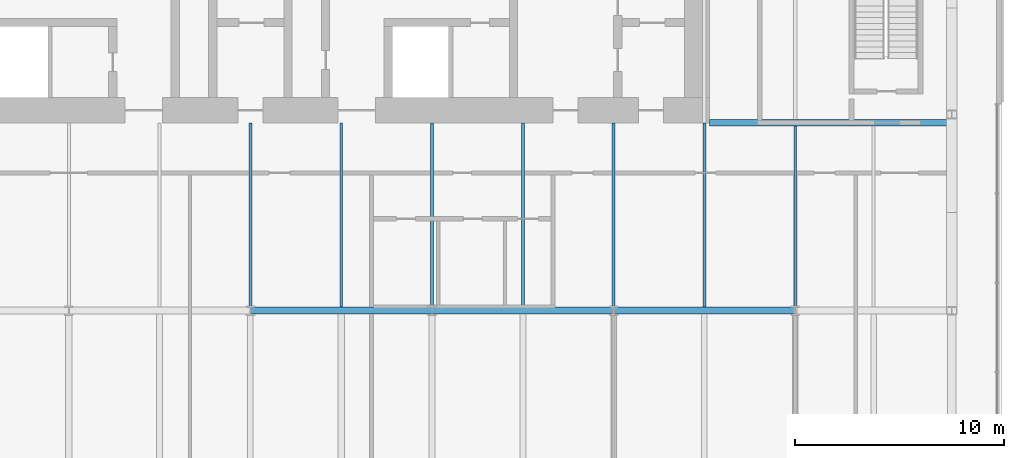
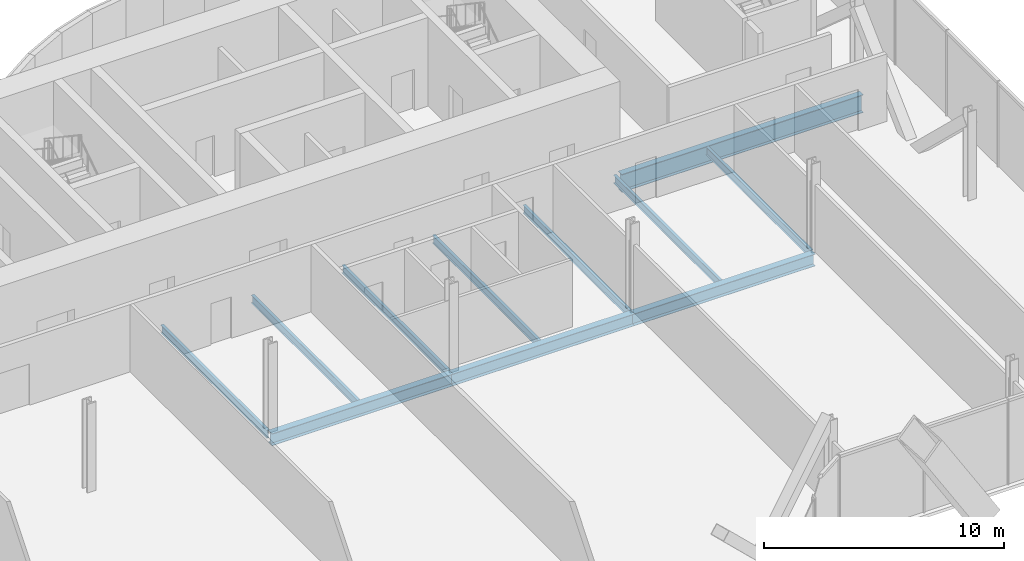
# One storey, part 11 of 23: 11 beams.
"""IFC4 building model written with IfcOpenShell, lengths in metres."""

from ifc_helpers import new_model, si_unit, direction, frame, origin, origin_2d, place, context, subcontext, project, spatial, i_section, extrude, material, material_profile, profile_set, type_object, element, save


model = new_model("IFC4")

# Units and contexts
model_context = context("Model", 3, precision=1e-05, world=origin(), true_north=direction((0.0, 1.0)))
body_context = subcontext(model_context, "Body", "Model", "MODEL_VIEW")
ifc_project = project(units=[si_unit("LENGTHUNIT", "METRE"), si_unit("AREAUNIT", "SQUARE_METRE"), si_unit("VOLUMEUNIT", "CUBIC_METRE"), si_unit("PLANEANGLEUNIT", "RADIAN"), si_unit("MASSUNIT", "GRAM", prefix="KILO")], contexts=[model_context])

# Site, building, storey
site_placement = place(None, origin())
site = spatial("IfcSite", under=ifc_project, at=site_placement, CompositionType="ELEMENT")
building_placement = place(site_placement, origin())
building = spatial("IfcBuilding", under=site, at=building_placement, Name="Bicima Exchange Tower", CompositionType="ELEMENT")
storey_placement = place(building_placement, frame((0.0, 0.0, 53.0)))
storey = spatial("IfcBuildingStorey", under=building, at=storey_placement, Name="L10", CompositionType="ELEMENT", Elevation=53.0)

# Beams
ifc_material = material(Name="Steel ASTM A992 Gr 50", Category="steel")
ifc_material_profile_1 = material_profile(ifc_material, i_section(OverallWidth=0.3046875, OverallDepth=0.911865234375, WebThickness=0.015869140625, FlangeThickness=0.02392578125, at=origin_2d()))
ifc_profile_set_1 = profile_set([ifc_material_profile_1], Name="Steel ASTM A992 Gr 50")
beam_type_1 = type_object("IfcBeamType", Name="Core-line girder W36x150", PredefinedType="BEAM", material=ifc_profile_set_1)
beam_1_placement = place(storey_placement, frame((22.0, -13.0, -0.60595703125), z_axis=(1.0, 0.0, 0.0), x_axis=(0.0, 1.0, 0.0)))
element("IfcBeam", 1, at=beam_1_placement, inside=storey, type_object=beam_type_1, Name="Core-line girder", PredefinedType="BEAM", context=body_context, shape_type="SweptSolid", body=[
    extrude(i_section(OverallWidth=0.3046875, OverallDepth=0.911865234375, WebThickness=0.015869140625, FlangeThickness=0.02392578125, at=origin_2d()), origin(), (0.0, 0.0, 1.0), 11.60009765625),
])
ifc_material_profile_2 = material_profile(ifc_material, i_section(OverallWidth=0.140380859375, OverallDepth=0.40380859375, WebThickness=0.007080078125, FlangeThickness=0.01123046875, at=origin_2d()))
ifc_profile_set_2 = profile_set([ifc_material_profile_2], Name="Steel ASTM A992 Gr 50")
beam_type_2 = type_object("IfcBeamType", Name="Floor beam W16x31", PredefinedType="JOIST", material=ifc_profile_set_2)
for number, where, z_axis, x_axis, name in (
    (2, (0.0, -13.0, -0.351806640625), (0.0, -1.0, 0.0), (1.0, 0.0, 0.0), "Floor beam"),
    (3, (4.35009765625, -13.0, -0.351806640625), (0.0, -1.0, 0.0), (1.0, 0.0, 0.0), "Floor beam"),
    (4, (8.699951171875, -13.0, -0.351806640625), (0.0, -1.0, 0.0), (1.0, 0.0, 0.0), "Floor beam"),
    (5, (13.050048828125, -13.0, -0.351806640625), (0.0, -1.0, 0.0), (1.0, 0.0, 0.0), "Floor beam"),
    (6, (17.39990234375, -13.0, -0.351806640625), (0.0, -1.0, 0.0), (1.0, 0.0, 0.0), "Floor beam"),
    (7, (21.75, -13.0, -0.351806640625), (0.0, -1.0, 0.0), (1.0, 0.0, 0.0), "Floor beam"),
):
    element("IfcBeam", number, at=place(storey_placement, frame(where, z_axis=z_axis, x_axis=x_axis)), inside=storey, type_object=beam_type_2, Name=name, PredefinedType="JOIST", context=body_context, shape_type="SweptSolid", body=[
        extrude(i_section(OverallWidth=0.140380859375, OverallDepth=0.40380859375, WebThickness=0.007080078125, FlangeThickness=0.01123046875, at=origin_2d()), origin(), (0.0, 0.0, 1.0), 8.83740234375),
    ])
beam_2_placement = place(storey_placement, frame((26.10009765625, -13.15234375, -0.351806640625), z_axis=(0.0, -1.0, 0.0), x_axis=(1.0, 0.0, 0.0)))
element("IfcBeam", 8, at=beam_2_placement, inside=storey, type_object=beam_type_2, Name="Floor beam", PredefinedType="JOIST", context=body_context, shape_type="SweptSolid", body=[
    extrude(i_section(OverallWidth=0.140380859375, OverallDepth=0.40380859375, WebThickness=0.007080078125, FlangeThickness=0.01123046875, at=origin_2d()), origin(), (0.0, 0.0, 1.0), 8.68505859375),
])
ifc_material_profile_3 = material_profile(ifc_material, i_section(OverallWidth=0.3251953125, OverallDepth=0.612060546875, WebThickness=0.0126953125, FlangeThickness=0.01904296875, at=origin_2d()))
ifc_profile_set_3 = profile_set([ifc_material_profile_3], Name="Steel ASTM A992 Gr 50")
beam_type_3 = type_object("IfcBeamType", Name="Row girder W24x104", PredefinedType="BEAM", material=ifc_profile_set_3)
for number, where, z_axis, x_axis, name in (
    (9, (0.0, -22.0, -0.4560546875), (1.0, 0.0, 0.0), (0.0, 1.0, 0.0), "Row girder"),
    (10, (8.699951171875, -22.0, -0.4560546875), (1.0, 0.0, 0.0), (0.0, 1.0, 0.0), "Row girder"),
):
    element("IfcBeam", number, at=place(storey_placement, frame(where, z_axis=z_axis, x_axis=x_axis)), inside=storey, type_object=beam_type_3, Name=name, PredefinedType="BEAM", context=body_context, shape_type="SweptSolid", body=[
        extrude(i_section(OverallWidth=0.3251953125, OverallDepth=0.612060546875, WebThickness=0.0126953125, FlangeThickness=0.01904296875, at=origin_2d()), origin(), (0.0, 0.0, 1.0), 8.699951171875),
    ])
beam_3_placement = place(storey_placement, frame((17.39990234375, -22.0, -0.4560546875), z_axis=(1.0, 0.0, 0.0), x_axis=(0.0, 1.0, 0.0)))
element("IfcBeam", 11, at=beam_3_placement, inside=storey, type_object=beam_type_3, Name="Row girder", PredefinedType="BEAM", context=body_context, shape_type="SweptSolid", body=[
    extrude(i_section(OverallWidth=0.3251953125, OverallDepth=0.612060546875, WebThickness=0.0126953125, FlangeThickness=0.01904296875, at=origin_2d()), origin(), (0.0, 0.0, 1.0), 8.7001953125),
])

save(model, "model.ifc")
